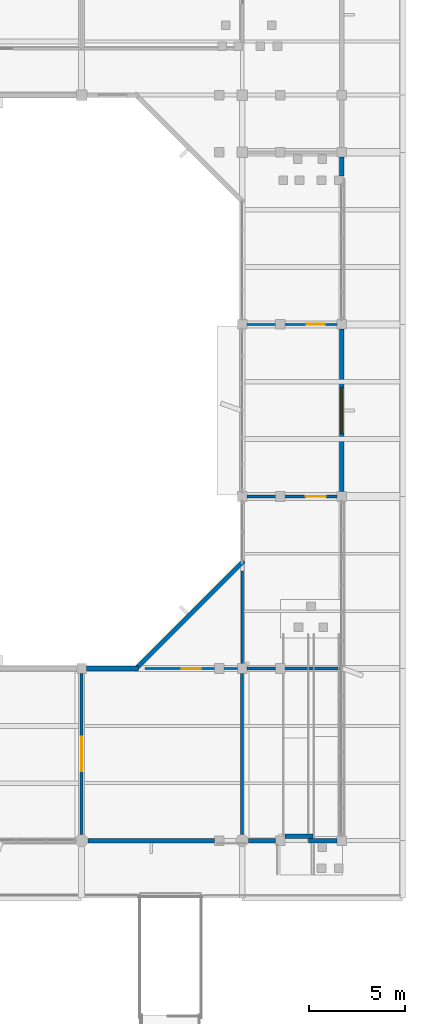
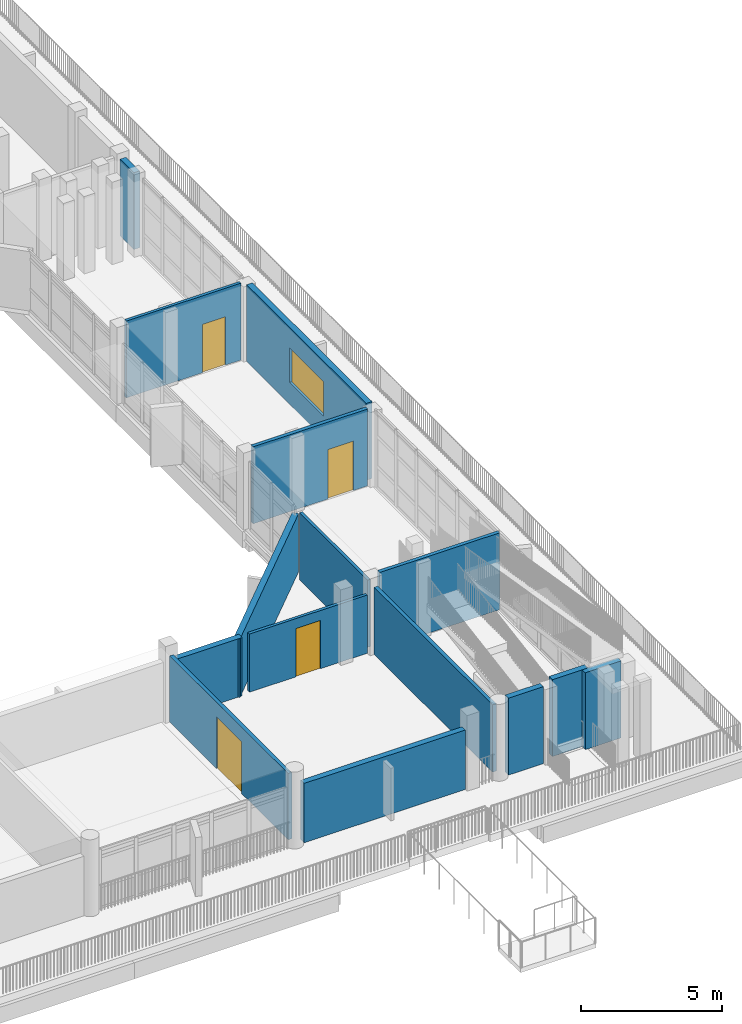
# One storey, part 31 of 51: 15 walls, 4 doors, 1 window, 5 openings.
"""IFC4 building model written with IfcOpenShell, lengths in metres."""

from ifc_helpers import new_model, si_unit, direction, frame, frame_2d, origin, place, context, subcontext, project, spatial, rectangle, extrude, material, layer, layer_set, type_object, element, fill, save


model = new_model("IFC4")

# Units and contexts
model_context = context("Model", 3, precision=1e-05, world=origin(), true_north=direction((0.0, 1.0)))
body_context = subcontext(model_context, "Body", "Model", "MODEL_VIEW")
ifc_project = project(units=[si_unit("LENGTHUNIT", "METRE"), si_unit("AREAUNIT", "SQUARE_METRE"), si_unit("VOLUMEUNIT", "CUBIC_METRE"), si_unit("PLANEANGLEUNIT", "RADIAN"), si_unit("MASSUNIT", "GRAM", prefix="KILO")], contexts=[model_context])

# Site, building, storey
site_placement = place(None, origin())
site = spatial("IfcSite", under=ifc_project, at=site_placement, CompositionType="ELEMENT")
building_placement = place(site_placement, origin())
building = spatial("IfcBuilding", under=site, at=building_placement, Name="Vanh Quang Courtyard School", CompositionType="ELEMENT")
storey_placement = place(building_placement, frame((0.0, 0.0, 11.39990234375)))
storey = spatial("IfcBuildingStorey", under=building, at=storey_placement, Name="L03", CompositionType="ELEMENT", Elevation=11.39990234375)

# Wall
ifc_material_1 = material(Name="Precast concrete C40/50", Category="concrete")
ifc_layer_1 = layer(ifc_material_1, 0.239990234375)
ifc_layer_set_1 = layer_set([ifc_layer_1], Name="Precast concrete C40/50")
wall_type_1 = type_object("IfcWallType", Name="W-EXT-240", PredefinedType="SOLIDWALL", material=ifc_layer_set_1)
wall_1_placement = place(storey_placement, frame((116.199951171875, 68.152099609375, 0.0), z_axis=(0.0, 0.0, 1.0), x_axis=(0.0, -1.0, 0.0)))
element("IfcWall", 1, at=wall_1_placement, inside=storey, type_object=wall_type_1, Name="Wall WE-03 (L03)", PredefinedType="SOLIDWALL", context=body_context, shape_type="SweptSolid", body=[
    extrude(rectangle(XDim=0.97900390625, YDim=0.239990234375, at=frame_2d((0.489501953125, 0.0))), origin(), (0.0, 0.0, 1.0), 3.340087890625),
])

# Wall, opening, window
wall_2_placement = place(storey_placement, frame((116.199951171875, 59.152099609375, 0.0), z_axis=(0.0, 0.0, 1.0), x_axis=(0.0, -1.0, 0.0)))
wall_2 = element("IfcWall", 2, at=wall_2_placement, inside=storey, type_object=wall_type_1, Name="Wall WE-03 (L03)", PredefinedType="SOLIDWALL", context=body_context, shape_type="SweptSolid", body=[
    extrude(rectangle(XDim=8.504150390625, YDim=0.239990234375, at=frame_2d((4.251953125, 0.0))), origin(), (0.0, 0.0, 1.0), 3.340087890625),
])
opening_1_placement = place(wall_2_placement, frame((3.052001953125, 0.0, 0.949951171875)))
opening_1 = element("IfcOpeningElement", 3, at=opening_1_placement, cuts=wall_2, Name="Opening WN-14", PredefinedType="OPENING", context=body_context, shape_type="SweptSolid", body=[
    extrude(rectangle(XDim=2.39990234375, YDim=1.5, at=frame_2d((1.199951171875, 0.75))), frame((0.0, 0.1298828125, 0.0), z_axis=(0.0, -1.0, 0.0), x_axis=(1.0, 0.0, 0.0)), (0.0, 0.0, 1.0), 0.260009765625),
])
ifc_material_2 = material(Name="Anodised aluminium and low-E double glazing", Category="aluminium")
window_type = type_object("IfcWindowType", Name="WIN-TYP-14", PartitioningType="SINGLE_PANEL", PredefinedType="WINDOW", material=ifc_material_2)
window_placement = place(opening_1_placement, origin())
window = element("IfcWindow", 4, at=window_placement, inside=storey, type_object=window_type, Name="Window WN-14 (L03)", OverallHeight=1.5, OverallWidth=2.39990234375, PartitioningType="SINGLE_PANEL", PredefinedType="WINDOW", context=body_context, shape_type="SweptSolid", body=[
    extrude(rectangle(XDim=2.39990234375, YDim=1.5, at=frame_2d((1.199951171875, 0.75))), frame((0.0, 0.030029296875, 0.0), z_axis=(0.0, -1.0, 0.0), x_axis=(1.0, 0.0, 0.0)), (0.0, 0.0, 1.0), 0.06005859375),
])
fill(opening_1, window)

# Walls
wall_3_placement = place(storey_placement, frame((115.951904296875, 32.39990234375, 0.0), z_axis=(0.0, 0.0, 1.0), x_axis=(-1.0, 0.0, 0.0)))
element("IfcWall", 5, at=wall_3_placement, inside=storey, type_object=wall_type_1, Name="Wall WE-03 (L03)", PredefinedType="SOLIDWALL", context=body_context, shape_type="SweptSolid", body=[
    extrude(rectangle(XDim=1.476806640625, YDim=0.239990234375, at=frame_2d((0.73828125, 0.0))), origin(), (0.0, 0.0, 1.0), 3.340087890625),
])
wall_4_placement = place(storey_placement, frame((114.699951171875, 32.614990234375, 0.0), z_axis=(0.0, 0.0, 1.0), x_axis=(-1.0, 0.0, 0.0)))
element("IfcWall", 6, at=wall_4_placement, inside=storey, type_object=wall_type_1, Name="Wall WE-03 (L03)", PredefinedType="SOLIDWALL", context=body_context, shape_type="SweptSolid", body=[
    extrude(rectangle(XDim=1.451904296875, YDim=0.239990234375, at=frame_2d((0.72607421875, 0.0))), origin(), (0.0, 0.0, 1.0), 3.340087890625),
])
wall_5_placement = place(storey_placement, frame((112.751953125, 32.39990234375, 0.0), z_axis=(0.0, 0.0, 1.0), x_axis=(-1.0, 0.0, 0.0)))
element("IfcWall", 7, at=wall_5_placement, inside=storey, type_object=wall_type_1, Name="Wall WE-03 (L03)", PredefinedType="SOLIDWALL", context=body_context, shape_type="SweptSolid", body=[
    extrude(rectangle(XDim=1.428955078125, YDim=0.239990234375, at=frame_2d((0.71435546875, 0.0))), origin(), (0.0, 0.0, 1.0), 3.340087890625),
])
wall_6_placement = place(storey_placement, frame((109.552001953125, 32.39990234375, 0.0), z_axis=(0.0, 0.0, 1.0), x_axis=(-1.0, 0.0, 0.0)))
element("IfcWall", 8, at=wall_6_placement, inside=storey, type_object=wall_type_1, Name="Wall WE-03 (L03)", PredefinedType="SOLIDWALL", context=body_context, shape_type="SweptSolid", body=[
    extrude(rectangle(XDim=6.62890625, YDim=0.239990234375, at=frame_2d((3.314453125, 0.0))), origin(), (0.0, 0.0, 1.0), 2.580078125),
])
wall_7_placement = place(storey_placement, frame((102.847900390625, 41.39990234375, 0.0), z_axis=(0.0, 0.0, 1.0), x_axis=(1.0, 0.0, 0.0)))
element("IfcWall", 9, at=wall_7_placement, inside=storey, type_object=wall_type_1, Name="Wall WE-03 (L03)", PredefinedType="SOLIDWALL", context=body_context, shape_type="SweptSolid", body=[
    extrude(rectangle(XDim=2.72802734375, YDim=0.239990234375, at=frame_2d((1.364013671875, 0.0))), origin(), (0.0, 0.0, 1.0), 2.530029296875),
])
wall_8_placement = place(storey_placement, frame((105.37109375, 41.315185546875, 0.0), z_axis=(0.0, 0.0, 1.0), x_axis=(0.707121887885, 0.707091674165, 0.0)))
element("IfcWall", 10, at=wall_8_placement, inside=storey, type_object=wall_type_1, Name="Wall WE-03 (L03)", PredefinedType="SOLIDWALL", context=body_context, shape_type="SweptSolid", body=[
    extrude(rectangle(XDim=8.08056640625, YDim=0.239990234375, at=frame_2d((4.040283203125, 0.0))), origin(), (0.0, 0.0, 1.0), 2.530029296875),
])

# Wall, opening, door
ifc_material_3 = material(Name="Acoustic gypsum stud partition", Category="gypsum")
ifc_layer_2 = layer(ifc_material_3, 0.1201171875)
ifc_layer_set_2 = layer_set([ifc_layer_2], Name="Acoustic gypsum stud partition")
wall_type_2 = type_object("IfcWallType", Name="W-PART-120", PredefinedType="PARTITIONING", material=ifc_layer_set_2)
wall_9_placement = place(storey_placement, frame((105.908447265625, 41.39990234375, 0.0), z_axis=(0.0, 0.0, 1.0), x_axis=(1.0, 0.0, 0.0)))
wall_9 = element("IfcWall", 11, at=wall_9_placement, inside=storey, type_object=wall_type_2, Name="Wall W-PRT2 (L03)", PredefinedType="PARTITIONING", context=body_context, shape_type="SweptSolid", body=[
    extrude(rectangle(XDim=4.843505859375, YDim=0.1201171875, at=frame_2d((2.421875, 0.0))), origin(), (0.0, 0.0, 1.0), 2.530029296875),
])
opening_2_placement = place(wall_9_placement, frame((1.921630859375, 0.0, 0.0)))
opening_2 = element("IfcOpeningElement", 12, at=opening_2_placement, cuts=wall_9, Name="Opening L03-D150", PredefinedType="OPENING", context=body_context, shape_type="SweptSolid", body=[
    extrude(rectangle(XDim=1.0, YDim=2.10009765625, at=frame_2d((0.5, 1.050048828125))), frame((0.0, 0.070068359375, 0.0), z_axis=(0.0, -1.0, 0.0), x_axis=(1.0, 0.0, 0.0)), (0.0, 0.0, 1.0), 0.14013671875),
])
ifc_material_4 = material(Name="Solid-core hardwood acoustic door", Category="wood")
door_type_1 = type_object("IfcDoorType", Name="IDR-CLS-1000x2100", OperationType="NOTDEFINED", PredefinedType="DOOR", material=ifc_material_4)
door_1_placement = place(opening_2_placement, origin())
door_1 = element("IfcDoor", 13, at=door_1_placement, inside=storey, type_object=door_type_1, Name="Door L03-D150 (L03)", OperationType="SINGLE_SWING_LEFT", OverallHeight=2.10009765625, OverallWidth=1.0, PredefinedType="DOOR", context=body_context, shape_type="SweptSolid", body=[
    extrude(rectangle(XDim=1.0, YDim=2.10009765625, at=frame_2d((0.5, 1.050048828125))), frame((0.0, 0.02490234375, 0.0), z_axis=(0.0, -1.0, 0.0), x_axis=(1.0, 0.0, 0.0)), (0.0, 0.0, 1.0), 0.050048828125),
])
fill(opening_2, door_1)

# Wall
wall_10_placement = place(storey_placement, frame((111.0, 41.64794921875, 0.0), z_axis=(0.0, 0.0, 1.0), x_axis=(0.0, 1.0, 0.0)))
element("IfcWall", 14, at=wall_10_placement, inside=storey, type_object=wall_type_2, Name="Wall W-PRT2 (L03)", PredefinedType="PARTITIONING", context=body_context, shape_type="SweptSolid", body=[
    extrude(rectangle(XDim=4.843505859375, YDim=0.1201171875, at=frame_2d((2.421875, 0.0))), origin(), (0.0, 0.0, 1.0), 2.920166015625),
])

# Wall, opening, door
wall_11_placement = place(storey_placement, frame((111.248046875, 59.39990234375, 0.0), z_axis=(0.0, 0.0, 1.0), x_axis=(1.0, 0.0, 0.0)))
wall_11 = element("IfcWall", 15, at=wall_11_placement, inside=storey, type_object=wall_type_2, Name="Wall W-PRT2 (L03)", PredefinedType="PARTITIONING", context=body_context, shape_type="SweptSolid", body=[
    extrude(rectangle(XDim=4.703857421875, YDim=0.1201171875, at=frame_2d((2.35205078125, 0.0))), origin(), (0.0, 0.0, 1.0), 3.340087890625),
])
opening_3_placement = place(wall_11_placement, frame((3.126953125, 0.0, 0.0)))
opening_3 = element("IfcOpeningElement", 16, at=opening_3_placement, cuts=wall_11, Name="Opening L03-D154", PredefinedType="OPENING", context=body_context, shape_type="SweptSolid", body=[
    extrude(rectangle(XDim=0.949951171875, YDim=2.10009765625, at=frame_2d((0.47509765625, 1.050048828125))), frame((0.0, 0.070068359375, 0.0), z_axis=(0.0, -1.0, 0.0), x_axis=(1.0, 0.0, 0.0)), (0.0, 0.0, 1.0), 0.14013671875),
])
door_type_2 = type_object("IfcDoorType", Name="IDR-CLS-0950x2100", OperationType="NOTDEFINED", PredefinedType="DOOR", material=ifc_material_4)
door_2_placement = place(opening_3_placement, origin())
door_2 = element("IfcDoor", 17, at=door_2_placement, inside=storey, type_object=door_type_2, Name="Door L03-D154 (L03)", OperationType="SINGLE_SWING_LEFT", OverallHeight=2.10009765625, OverallWidth=0.949951171875, PredefinedType="DOOR", context=body_context, shape_type="SweptSolid", body=[
    extrude(rectangle(XDim=0.949951171875, YDim=2.10009765625, at=frame_2d((0.47509765625, 1.050048828125))), frame((0.0, 0.02490234375, 0.0), z_axis=(0.0, -1.0, 0.0), x_axis=(1.0, 0.0, 0.0)), (0.0, 0.0, 1.0), 0.050048828125),
])
fill(opening_3, door_2)

ifc_material_5 = material(Name="Autoclaved aerated masonry blockwork", Category="masonry")
ifc_layer_3 = layer(ifc_material_5, 0.14990234375)
ifc_layer_set_3 = layer_set([ifc_layer_3], Name="Autoclaved aerated masonry blockwork")
wall_type_3 = type_object("IfcWallType", Name="W-PART-150", PredefinedType="PARTITIONING", material=ifc_layer_set_3)
wall_12_placement = place(storey_placement, frame((102.60009765625, 41.152099609375, 0.0), z_axis=(0.0, 0.0, 1.0), x_axis=(0.0, -1.0, 0.0)))
wall_12 = element("IfcWall", 18, at=wall_12_placement, inside=storey, type_object=wall_type_3, Name="Wall W-PRT1 (L03)", PredefinedType="PARTITIONING", context=body_context, shape_type="SweptSolid", body=[
    extrude(rectangle(XDim=8.42919921875, YDim=0.14990234375, at=frame_2d((4.214599609375, 0.0))), origin(), (0.0, 0.0, 1.0), 2.880126953125),
])
opening_4_placement = place(wall_12_placement, frame((3.314453125, 0.0, 0.0)))
opening_4 = element("IfcOpeningElement", 19, at=opening_4_placement, cuts=wall_12, Name="Opening L03-D147", PredefinedType="OPENING", context=body_context, shape_type="SweptSolid", body=[
    extrude(rectangle(XDim=1.800048828125, YDim=2.25, at=frame_2d((0.89990234375, 1.125))), frame((0.0, 0.0849609375, 0.0), z_axis=(0.0, -1.0, 0.0), x_axis=(1.0, 0.0, 0.0)), (0.0, 0.0, 1.0), 0.169921875),
])
ifc_material_6 = material(Name="Painted galvanised steel fire door", Category="steel")
door_type_3 = type_object("IfcDoorType", Name="IDR-FD-1800x2250", OperationType="NOTDEFINED", PredefinedType="DOOR", material=ifc_material_6)
door_3_placement = place(opening_4_placement, origin())
door_3 = element("IfcDoor", 20, at=door_3_placement, inside=storey, type_object=door_type_3, Name="Door L03-D147 (L03)", OperationType="DOUBLE_DOOR_SINGLE_SWING", OverallHeight=2.25, OverallWidth=1.800048828125, PredefinedType="DOOR", context=body_context, shape_type="SweptSolid", body=[
    extrude(rectangle(XDim=1.800048828125, YDim=2.25, at=frame_2d((0.89990234375, 1.125))), frame((0.0, 0.02490234375, 0.0), z_axis=(0.0, -1.0, 0.0), x_axis=(1.0, 0.0, 0.0)), (0.0, 0.0, 1.0), 0.050048828125),
])
fill(opening_4, door_3)

# Walls
wall_13_placement = place(storey_placement, frame((111.0, 41.152099609375, 0.0), z_axis=(0.0, 0.0, 1.0), x_axis=(0.0, -1.0, 0.0)))
element("IfcWall", 21, at=wall_13_placement, inside=storey, type_object=wall_type_3, Name="Wall W-PRT1 (L03)", PredefinedType="PARTITIONING", context=body_context, shape_type="SweptSolid", body=[
    extrude(rectangle(XDim=8.42919921875, YDim=0.14990234375, at=frame_2d((4.214599609375, 0.0))), origin(), (0.0, 0.0, 1.0), 2.920166015625),
])
wall_14_placement = place(storey_placement, frame((111.248046875, 41.39990234375, 0.0), z_axis=(0.0, 0.0, 1.0), x_axis=(1.0, 0.0, 0.0)))
element("IfcWall", 22, at=wall_14_placement, inside=storey, type_object=wall_type_3, Name="Wall W-PRT1 (L03)", PredefinedType="PARTITIONING", context=body_context, shape_type="SweptSolid", body=[
    extrude(rectangle(XDim=4.951904296875, YDim=0.14990234375, at=frame_2d((2.47607421875, 0.0))), origin(), (0.0, 0.0, 1.0), 3.340087890625),
])

# Wall, opening, door
wall_15_placement = place(storey_placement, frame((111.248046875, 50.39990234375, 0.0), z_axis=(0.0, 0.0, 1.0), x_axis=(1.0, 0.0, 0.0)))
wall_15 = element("IfcWall", 23, at=wall_15_placement, inside=storey, type_object=wall_type_3, Name="Wall W-PRT1 (L03)", PredefinedType="PARTITIONING", context=body_context, shape_type="SweptSolid", body=[
    extrude(rectangle(XDim=4.703857421875, YDim=0.14990234375, at=frame_2d((2.35205078125, 0.0))), origin(), (0.0, 0.0, 1.0), 3.340087890625),
])
opening_5_placement = place(wall_15_placement, frame((3.076904296875, 0.0, 0.0)))
opening_5 = element("IfcOpeningElement", 24, at=opening_5_placement, cuts=wall_15, Name="Opening L03-D153", PredefinedType="OPENING", context=body_context, shape_type="SweptSolid", body=[
    extrude(rectangle(XDim=1.050048828125, YDim=2.14990234375, at=frame_2d((0.52490234375, 1.074951171875))), frame((0.0, 0.0849609375, 0.0), z_axis=(0.0, -1.0, 0.0), x_axis=(1.0, 0.0, 0.0)), (0.0, 0.0, 1.0), 0.169921875),
])
door_type_4 = type_object("IfcDoorType", Name="IDR-FD-1050x2150", OperationType="NOTDEFINED", PredefinedType="DOOR", material=ifc_material_6)
door_4_placement = place(opening_5_placement, origin())
door_4 = element("IfcDoor", 25, at=door_4_placement, inside=storey, type_object=door_type_4, Name="Door L03-D153 (L03)", OperationType="SINGLE_SWING_RIGHT", OverallHeight=2.14990234375, OverallWidth=1.050048828125, PredefinedType="DOOR", context=body_context, shape_type="SweptSolid", body=[
    extrude(rectangle(XDim=1.050048828125, YDim=2.14990234375, at=frame_2d((0.52490234375, 1.074951171875))), frame((0.0, 0.02490234375, 0.0), z_axis=(0.0, -1.0, 0.0), x_axis=(1.0, 0.0, 0.0)), (0.0, 0.0, 1.0), 0.050048828125),
])
fill(opening_5, door_4)

save(model, "model.ifc")
